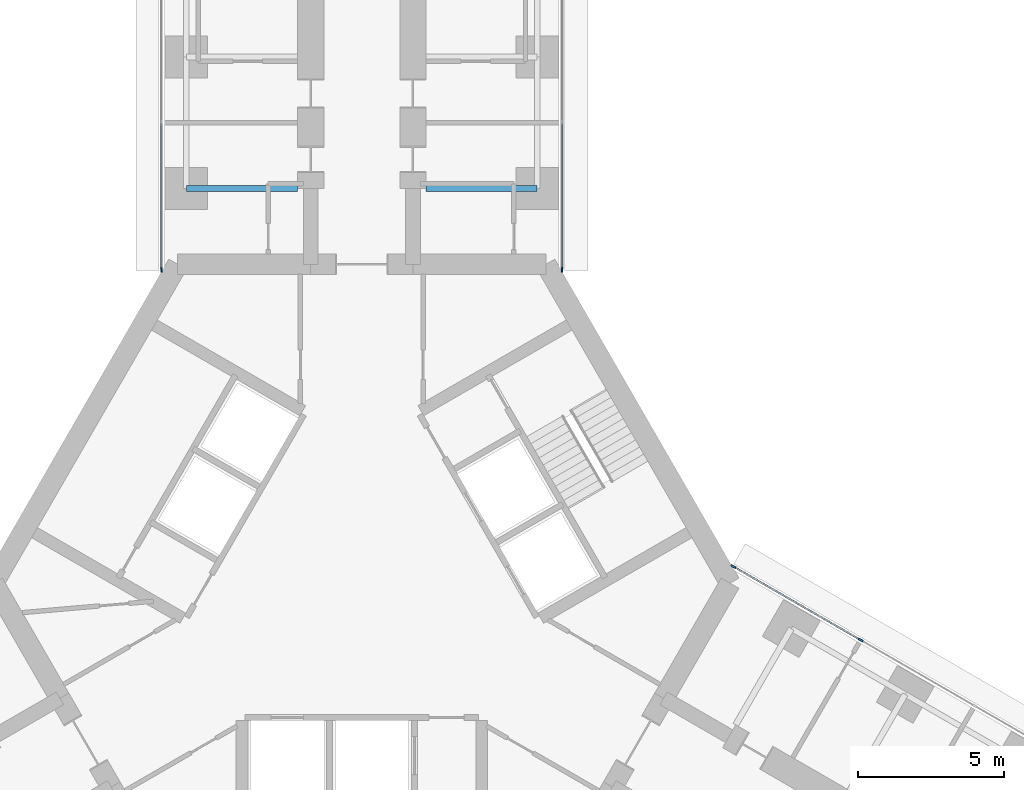
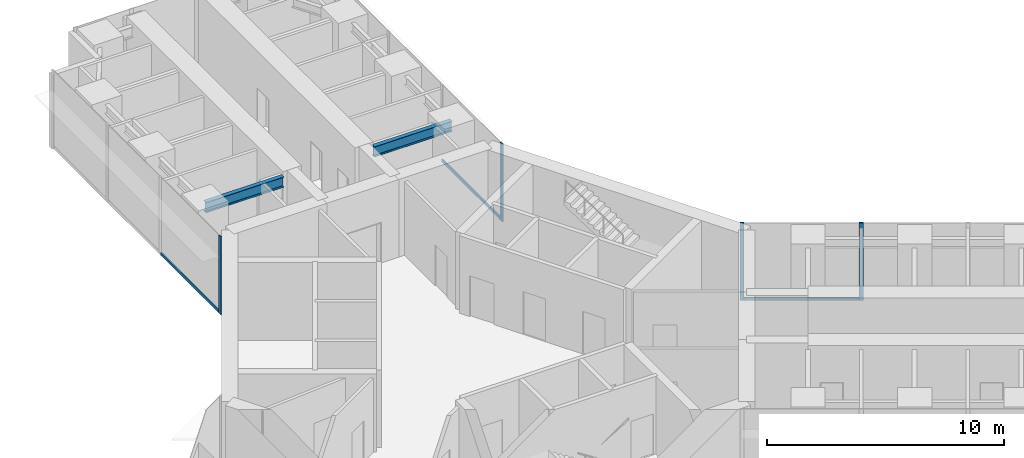
# One storey, part 11 of 24: 7 members, 2 beams, 3 elements without a shape of their own.
"""IFC4 building model written with IfcOpenShell, lengths in metres."""

from ifc_helpers import new_model, si_unit, direction, frame, origin, origin_2d, place, context, subcontext, project, spatial, rectangle, i_section, extrude, material, material_profile, profile_set, type_object, element, aggregate, save


model = new_model("IFC4")

# Units and contexts
model_context = context("Model", 3, precision=1e-05, world=origin(), true_north=direction((0.0, 1.0)))
body_context = subcontext(model_context, "Body", "Model", "MODEL_VIEW")
ifc_project = project(units=[si_unit("LENGTHUNIT", "METRE"), si_unit("AREAUNIT", "SQUARE_METRE"), si_unit("VOLUMEUNIT", "CUBIC_METRE"), si_unit("PLANEANGLEUNIT", "RADIAN"), si_unit("MASSUNIT", "GRAM", prefix="KILO")], contexts=[model_context])

# Site, building, storey
site_placement = place(None, origin())
site = spatial("IfcSite", under=ifc_project, at=site_placement, CompositionType="ELEMENT")
building_placement = place(site_placement, origin())
building = spatial("IfcBuilding", under=site, at=building_placement, Name="Upepo Twin Towers", CompositionType="ELEMENT")
storey_placement = place(building_placement, frame((0.0, 0.0, 64.5)))
storey = spatial("IfcBuildingStorey", under=building, at=storey_placement, Name="L15", CompositionType="ELEMENT", Elevation=64.5)

# Beams
ifc_material_1 = material(Name="Steel S355", Category="steel")
ifc_material_profile_1 = material_profile(ifc_material_1, i_section(OverallWidth=0.209228515625, OverallDepth=0.533203125, WebThickness=0.010009765625, FlangeThickness=0.015625, FilletRadius=0.0126953125, at=origin_2d()), Name="UB 533x210x92")
ifc_profile_set_1 = profile_set([ifc_material_profile_1], Name="Steel S355")
beam_type = type_object("IfcBeamType", Name="Beam UB 533x210x92", PredefinedType="BEAM", material=ifc_profile_set_1)
for number, where, z_axis, x_axis, name in (
    (1, (52.5, -4.5, 3.533447265625), (1.0, 0.0, 0.0), (0.0, 1.0, 0.0), "T2 girder AL at 13.5"),
    (2, (64.5, -4.5, 3.533447265625), (-1.0, 0.0, 0.0), (0.0, -1.0, 0.0), "T2 girder AR at 13.5"),
):
    element("IfcBeam", number, at=place(storey_placement, frame(where, z_axis=z_axis, x_axis=x_axis)), inside=storey, type_object=beam_type, Name=name, PredefinedType="BEAM", context=body_context, shape_type="SweptSolid", body=[
        extrude(i_section(OverallWidth=0.209228515625, OverallDepth=0.533203125, WebThickness=0.010009765625, FlangeThickness=0.015625, FilletRadius=0.0126953125, at=origin_2d()), origin(), (0.0, 0.0, 1.0), 3.800048828125),
    ])

# Curtain wall, member
ifc_material_2 = material(Name="Aluminium and fritted glass", Category="aluminium")
curtain_wall_type = type_object("IfcCurtainWallType", Name="Tower curtain wall TW1, fritted glass", PredefinedType="NOTDEFINED", material=ifc_material_2)
curtain_wall_1_placement = place(storey_placement, origin())
curtain_wall_1 = element("IfcCurtainWall", 3, at=curtain_wall_1_placement, inside=storey, type_object=curtain_wall_type, Name="T2 L15 wing A flank L curtain wall", PredefinedType="NOTDEFINED")
ifc_material_3 = material(Name="Aluminium mullion", Category="aluminium")
ifc_material_profile_2 = material_profile(ifc_material_3, rectangle(XDim=0.06494140625, YDim=0.179931640625, at=origin_2d()), Name="MULLION 65x180")
ifc_profile_set_2 = profile_set([ifc_material_profile_2], Name="Aluminium mullion")
member_type_1 = type_object("IfcMemberType", Name="Mullion 65x180 TW1", PredefinedType="MULLION", material=ifc_profile_set_2)
member_1_placement = place(storey_placement, frame((51.64990234375, -7.2802734375, 0.0), z_axis=(0.0, 0.0, 1.0), x_axis=(-1.0, 0.0, 0.0)))
member_1 = element("IfcMember", 4, at=member_1_placement, type_object=member_type_1, Name="T2 L15 wing A flank L curtain wall mullion 1", PredefinedType="MULLION", context=body_context, shape_type="SweptSolid", body=[
    extrude(rectangle(XDim=0.06494140625, YDim=0.179931640625, at=origin_2d()), origin(), (0.0, 0.0, 1.0), 4.0),
])

curtain_wall_2_placement = place(storey_placement, origin())
curtain_wall_2 = element("IfcCurtainWall", 5, at=curtain_wall_2_placement, inside=storey, type_object=curtain_wall_type, Name="T2 L15 wing A flank R curtain wall", PredefinedType="NOTDEFINED")
member_2_placement = place(storey_placement, frame((65.35009765625, -7.2802734375, 0.0), z_axis=(0.0, 0.0, 1.0), x_axis=(1.0, 0.0, 0.0)))
member_2 = element("IfcMember", 6, at=member_2_placement, type_object=member_type_1, Name="T2 L15 wing A flank R curtain wall mullion 4", PredefinedType="MULLION", context=body_context, shape_type="SweptSolid", body=[
    extrude(rectangle(XDim=0.06494140625, YDim=0.179931640625, at=origin_2d()), origin(), (0.0, 0.0, 1.0), 4.0),
])

# Curtain wall, members
curtain_wall_3_placement = place(storey_placement, origin())
curtain_wall_3 = element("IfcCurtainWall", 7, at=curtain_wall_3_placement, inside=storey, type_object=curtain_wall_type, Name="T2 L15 wing C flank L curtain wall", PredefinedType="NOTDEFINED")
member_3_placement = place(storey_placement, frame((71.20849609375, -17.427490234375, 0.0), z_axis=(0.0, 0.0, 1.0), x_axis=(0.500000024426, 0.866025389682, 0.0)))
member_3 = element("IfcMember", 8, at=member_3_placement, type_object=member_type_1, Name="T2 L15 wing C flank L curtain wall mullion 1", PredefinedType="MULLION", context=body_context, shape_type="SweptSolid", body=[
    extrude(rectangle(XDim=0.06494140625, YDim=0.179931640625, at=origin_2d()), origin(), (0.0, 0.0, 1.0), 4.0),
])
member_4_placement = place(storey_placement, frame((75.56494140625, -19.942626953125, 0.0), z_axis=(0.0, 0.0, 1.0), x_axis=(0.500000024426, 0.866025389682, 0.0)))
member_4 = element("IfcMember", 9, at=member_4_placement, type_object=member_type_1, Name="T2 L15 wing C flank L curtain wall mullion 2", PredefinedType="MULLION", context=body_context, shape_type="SweptSolid", body=[
    extrude(rectangle(XDim=0.06494140625, YDim=0.179931640625, at=origin_2d()), origin(), (0.0, 0.0, 1.0), 4.0),
])

# Member
ifc_material_4 = material(Name="Aluminium transom", Category="aluminium")
ifc_material_profile_3 = material_profile(ifc_material_4, rectangle(XDim=0.06494140625, YDim=0.14990234375, at=origin_2d()), Name="TRANSOM 65x150")
ifc_profile_set_3 = profile_set([ifc_material_profile_3], Name="Aluminium transom")
member_type_2 = type_object("IfcMemberType", Name="Transom 65x150 TW1", PredefinedType="USERDEFINED", material=ifc_profile_set_3)
member_5_placement = place(storey_placement, frame((51.64990234375, -7.247802734375, 0.074951171875), z_axis=(0.0, 1.0, 0.0), x_axis=(-1.0, 0.0, 0.0)))
member_5 = element("IfcMember", 10, at=member_5_placement, type_object=member_type_2, Name="T2 L15 wing A flank L curtain wall transom 1", ObjectType="TRANSOM", PredefinedType="USERDEFINED", context=body_context, shape_type="SweptSolid", body=[
    extrude(rectangle(XDim=0.06494140625, YDim=0.14990234375, at=origin_2d()), origin(), (0.0, 0.0, 1.0), 4.96533203125),
])

aggregate(curtain_wall_1, [member_1, member_5])

member_6_placement = place(storey_placement, frame((65.35009765625, -2.282470703125, 0.074951171875), z_axis=(0.0, -1.0, 0.0), x_axis=(1.0, 0.0, 0.0)))
member_6 = element("IfcMember", 11, at=member_6_placement, type_object=member_type_2, Name="T2 L15 wing A flank R curtain wall transom 3", ObjectType="TRANSOM", PredefinedType="USERDEFINED", context=body_context, shape_type="SweptSolid", body=[
    extrude(rectangle(XDim=0.06494140625, YDim=0.14990234375, at=origin_2d()), origin(), (0.0, 0.0, 1.0), 4.96533203125),
])

aggregate(curtain_wall_2, [member_2, member_6])

member_7_placement = place(storey_placement, frame((71.236572265625, -17.44384765625, 0.074951171875), z_axis=(0.866034933967, -0.499983492876, 0.0), x_axis=(0.499983492876, 0.866034933967, 0.0)))
member_7 = element("IfcMember", 12, at=member_7_placement, type_object=member_type_2, Name="T2 L15 wing C flank L curtain wall transom 1", ObjectType="TRANSOM", PredefinedType="USERDEFINED", context=body_context, shape_type="SweptSolid", body=[
    extrude(rectangle(XDim=0.06494140625, YDim=0.14990234375, at=origin_2d()), origin(), (0.0, 0.0, 1.0), 4.965576171875),
])

aggregate(curtain_wall_3, [member_3, member_4, member_7])

save(model, "model.ifc")
